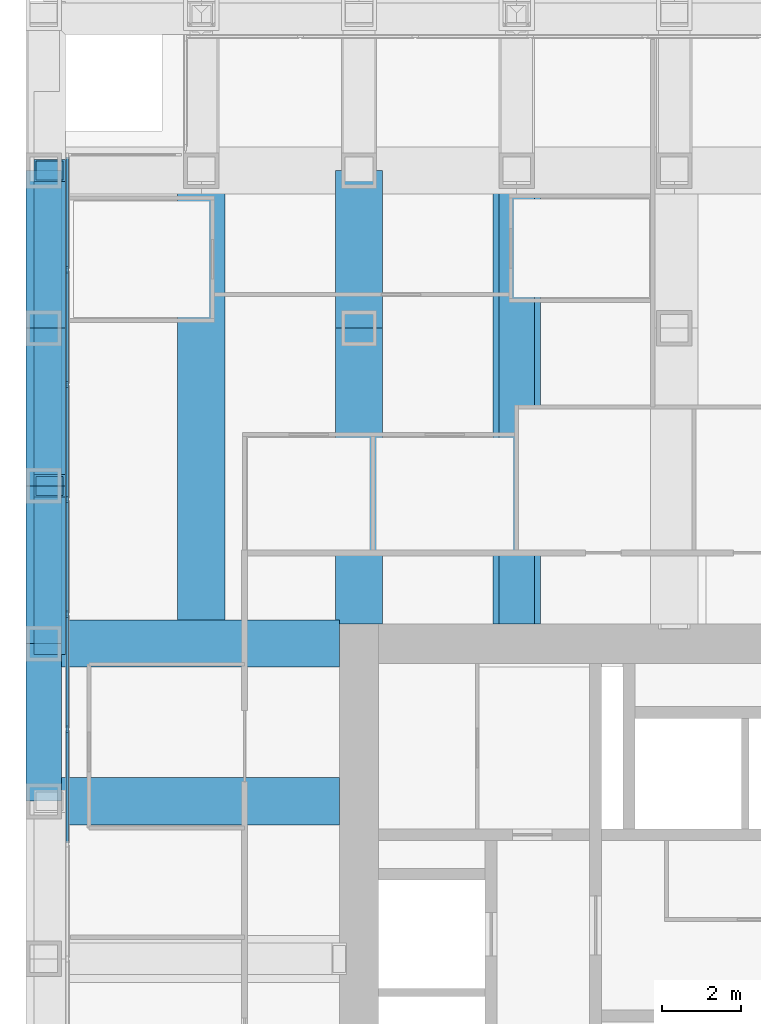
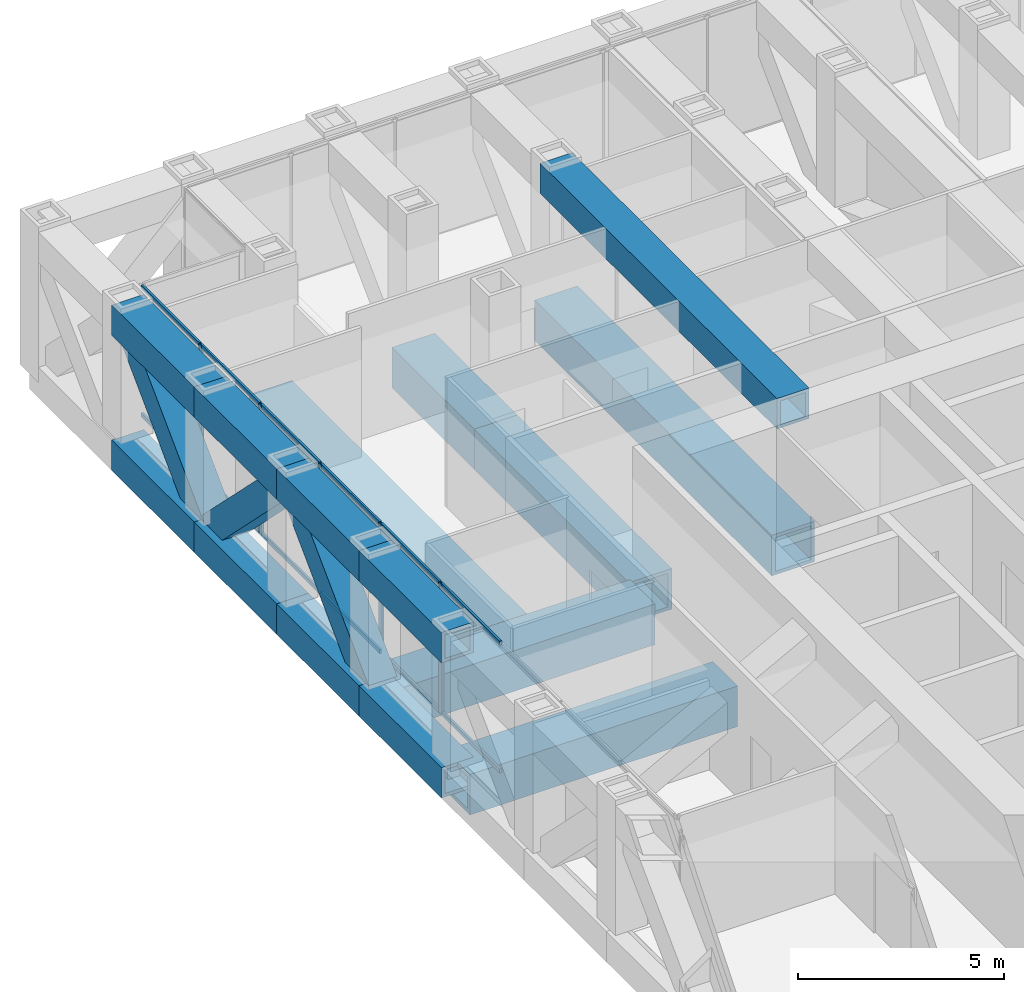
# One storey, part 7 of 18: 20 members, 15 beams, 1 element without a shape of its own.
"""IFC4 building model written with IfcOpenShell, lengths in metres."""

from ifc_helpers import new_model, si_unit, direction, frame, origin, origin_2d, place, context, subcontext, project, spatial, rectangle, hollow_rectangle, extrude, material, material_profile, profile_set, type_object, element, aggregate, save


model = new_model("IFC4")

# Units and contexts
model_context = context("Model", 3, precision=1e-05, world=origin(), true_north=direction((0.0, 1.0)))
body_context = subcontext(model_context, "Body", "Model", "MODEL_VIEW")
ifc_project = project(units=[si_unit("LENGTHUNIT", "METRE"), si_unit("AREAUNIT", "SQUARE_METRE"), si_unit("VOLUMEUNIT", "CUBIC_METRE"), si_unit("PLANEANGLEUNIT", "RADIAN"), si_unit("MASSUNIT", "GRAM", prefix="KILO")], contexts=[model_context])

# Site, building, storey
site_placement = place(None, origin())
site = spatial("IfcSite", under=ifc_project, at=site_placement, CompositionType="ELEMENT")
building_placement = place(site_placement, origin())
building = spatial("IfcBuilding", under=site, at=building_placement, Name="Rimbunsela Tower", CompositionType="ELEMENT")
storey_placement = place(building_placement, frame((0.0, 0.0, 105.39990234375)))
storey = spatial("IfcBuildingStorey", under=building, at=storey_placement, Name="L25", CompositionType="ELEMENT", Elevation=105.39990234375)

# Beams
ifc_material_1 = material(Name="Steel BJ 55 (fy 410 MPa)", Category="steel")
ifc_material_profile_1 = material_profile(ifc_material_1, hollow_rectangle(XDim=1.199951171875, YDim=1.199951171875, WallThickness=0.10009765625, at=origin_2d()), Name="BOX 1200x1200x100")
ifc_profile_set_1 = profile_set([ifc_material_profile_1], Name="Steel BJ 55 (fy 410 MPa)")
beam_type_1 = type_object("IfcBeamType", Name="Beam BOX 1200x1200x100", PredefinedType="BEAM", material=ifc_profile_set_1)
beam_1_placement = place(storey_placement, frame((18.0, 36.5, -0.75), z_axis=(0.0, 1.0, 0.0), x_axis=(-1.0, 0.0, 0.0)))
element("IfcBeam", 1, at=beam_1_placement, inside=storey, type_object=beam_type_1, Name="Beam B5 L25", PredefinedType="BEAM", context=body_context, shape_type="SweptSolid", body=[
    extrude(hollow_rectangle(XDim=1.199951171875, YDim=1.199951171875, WallThickness=0.10009765625, at=origin_2d()), origin(), (0.0, 0.0, 1.0), 7.5),
])
beam_2_placement = place(storey_placement, frame((22.0, 36.5, -0.75), z_axis=(0.0, 1.0, 0.0), x_axis=(-1.0, 0.0, 0.0)))
element("IfcBeam", 2, at=beam_2_placement, inside=storey, type_object=beam_type_1, Name="Beam B5 L25", PredefinedType="BEAM", context=body_context, shape_type="SweptSolid", body=[
    extrude(hollow_rectangle(XDim=1.199951171875, YDim=1.199951171875, WallThickness=0.10009765625, at=origin_2d()), origin(), (0.0, 0.0, 1.0), 11.5),
])
ifc_material_2 = material(Name="Steel BJ 55 (fy 410 MPa)", Category="steel")
ifc_material_profile_2 = material_profile(ifc_material_2, hollow_rectangle(XDim=1.199951171875, YDim=1.199951171875, WallThickness=0.125, at=origin_2d()), Name="BOX 1200x1200x125")
ifc_profile_set_2 = profile_set([ifc_material_profile_2], Name="Steel BJ 55 (fy 410 MPa)")
beam_type_2 = type_object("IfcBeamType", Name="Beam BOX 1200x1200x125", PredefinedType="BEAM", material=ifc_profile_set_2)
for number, where, z_axis, x_axis, name in (
    (3, (10.0, 32.0, -0.75), (1.0, 0.0, 0.0), (0.0, 1.0, 0.0), "Beam B4 L25"),
    (4, (10.0, 36.0, -0.75), (1.0, 0.0, 0.0), (0.0, 1.0, 0.0), "Beam B4 L25"),
):
    element("IfcBeam", number, at=place(storey_placement, frame(where, z_axis=z_axis, x_axis=x_axis)), inside=storey, type_object=beam_type_2, Name=name, PredefinedType="BEAM", context=body_context, shape_type="SweptSolid", body=[
        extrude(hollow_rectangle(XDim=1.199951171875, YDim=1.199951171875, WallThickness=0.125, at=origin_2d()), origin(), (0.0, 0.0, 1.0), 7.5),
    ])
beam_3_placement = place(storey_placement, frame((14.0, 36.60009765625, -0.75), z_axis=(0.0, 1.0, 0.0), x_axis=(-1.0, 0.0, 0.0)))
element("IfcBeam", 5, at=beam_3_placement, inside=storey, type_object=beam_type_2, Name="Beam B4 L25", PredefinedType="BEAM", context=body_context, shape_type="SweptSolid", body=[
    extrude(hollow_rectangle(XDim=1.199951171875, YDim=1.199951171875, WallThickness=0.125, at=origin_2d()), origin(), (0.0, 0.0, 1.0), 11.39990234375),
])
beam_4_placement = place(storey_placement, frame((18.0, 44.0, -0.75), z_axis=(0.0, 1.0, 0.0), x_axis=(-1.0, 0.0, 0.0)))
element("IfcBeam", 6, at=beam_4_placement, inside=storey, type_object=beam_type_2, Name="Beam B4 L25", PredefinedType="BEAM", context=body_context, shape_type="SweptSolid", body=[
    extrude(hollow_rectangle(XDim=1.199951171875, YDim=1.199951171875, WallThickness=0.125, at=origin_2d()), origin(), (0.0, 0.0, 1.0), 4.0),
])

# Curtain wall, members
ifc_material_3 = material(Name="Aluminium curtain wall", Category="aluminium")
curtain_wall_type = type_object("IfcCurtainWallType", Name="Exoskeleton storey infill", PredefinedType="USERDEFINED", material=ifc_material_3)
curtain_wall_placement = place(storey_placement, origin())
curtain_wall = element("IfcCurtainWall", 7, at=curtain_wall_placement, inside=storey, type_object=curtain_wall_type, Name="Exoskeleton storey infill L25", ObjectType="EXOSKELETON STOREY INFILL", PredefinedType="USERDEFINED")
ifc_material_4 = material(Name="Aluminium mullion", Category="aluminium")
ifc_material_profile_3 = material_profile(ifc_material_4, rectangle(XDim=0.06005859375, YDim=0.159912109375, at=origin_2d()), Name="Mullion 60x160")
ifc_profile_set_3 = profile_set([ifc_material_profile_3], Name="Aluminium mullion")
member_type_1 = type_object("IfcMemberType", Name="Curtain wall mullion 60x160", PredefinedType="MULLION", material=ifc_profile_set_3)
member_1_placement = place(storey_placement, frame((10.60009765625, 45.485595703125, 0.0), z_axis=(0.0, 0.0, 1.0), x_axis=(1.0, 0.0, 0.0)))
member_1 = element("IfcMember", 8, at=member_1_placement, type_object=member_type_1, Name="CW2 mullion 2", PredefinedType="MULLION", context=body_context, shape_type="SweptSolid", body=[
    extrude(rectangle(XDim=0.06005859375, YDim=0.159912109375, at=origin_2d()), origin(), (0.0, 0.0, 1.0), 3.85009765625),
])
member_2_placement = place(storey_placement, frame((10.60009765625, 42.571533203125, 0.0), z_axis=(0.0, 0.0, 1.0), x_axis=(1.0, 0.0, 0.0)))
member_2 = element("IfcMember", 9, at=member_2_placement, type_object=member_type_1, Name="CW2 mullion 3", PredefinedType="MULLION", context=body_context, shape_type="SweptSolid", body=[
    extrude(rectangle(XDim=0.06005859375, YDim=0.159912109375, at=origin_2d()), origin(), (0.0, 0.0, 1.0), 3.85009765625),
])
member_3_placement = place(storey_placement, frame((10.60009765625, 39.6572265625, 0.0), z_axis=(0.0, 0.0, 1.0), x_axis=(1.0, 0.0, 0.0)))
member_3 = element("IfcMember", 10, at=member_3_placement, type_object=member_type_1, Name="CW2 mullion 4", PredefinedType="MULLION", context=body_context, shape_type="SweptSolid", body=[
    extrude(rectangle(XDim=0.06005859375, YDim=0.159912109375, at=origin_2d()), origin(), (0.0, 0.0, 1.0), 3.85009765625),
])
member_4_placement = place(storey_placement, frame((10.60009765625, 36.742919921875, 0.0), z_axis=(0.0, 0.0, 1.0), x_axis=(1.0, 0.0, 0.0)))
member_4 = element("IfcMember", 11, at=member_4_placement, type_object=member_type_1, Name="CW2 mullion 5", PredefinedType="MULLION", context=body_context, shape_type="SweptSolid", body=[
    extrude(rectangle(XDim=0.06005859375, YDim=0.159912109375, at=origin_2d()), origin(), (0.0, 0.0, 1.0), 3.85009765625),
])
member_5_placement = place(storey_placement, frame((10.60009765625, 33.82861328125, 0.0), z_axis=(0.0, 0.0, 1.0), x_axis=(1.0, 0.0, 0.0)))
member_5 = element("IfcMember", 12, at=member_5_placement, type_object=member_type_1, Name="CW2 mullion 6", PredefinedType="MULLION", context=body_context, shape_type="SweptSolid", body=[
    extrude(rectangle(XDim=0.06005859375, YDim=0.159912109375, at=origin_2d()), origin(), (0.0, 0.0, 1.0), 3.85009765625),
])
ifc_material_5 = material(Name="Aluminium transom", Category="aluminium")
ifc_material_profile_4 = material_profile(ifc_material_5, rectangle(XDim=0.06005859375, YDim=0.1201171875, at=origin_2d()), Name="Transom 60x120")
ifc_profile_set_4 = profile_set([ifc_material_profile_4], Name="Aluminium transom")
member_type_2 = type_object("IfcMemberType", Name="Curtain wall transom 60x120", PredefinedType="USERDEFINED", material=ifc_profile_set_4)
member_6_placement = place(storey_placement, frame((10.60009765625, 48.340087890625, 0.030029296875), z_axis=(0.0, -1.0, 0.0), x_axis=(1.0, 0.0, 0.0)))
member_6 = element("IfcMember", 13, at=member_6_placement, type_object=member_type_2, Name="CW2 transom 1.1", ObjectType="TRANSOM", PredefinedType="USERDEFINED", context=body_context, shape_type="SweptSolid", body=[
    extrude(rectangle(XDim=0.06005859375, YDim=0.1201171875, at=origin_2d()), origin(), (0.0, 0.0, 1.0), 2.824462890625),
])
member_7_placement = place(storey_placement, frame((10.60009765625, 48.340087890625, 3.820068359375), z_axis=(0.0, -1.0, 0.0), x_axis=(1.0, 0.0, 0.0)))
member_7 = element("IfcMember", 14, at=member_7_placement, type_object=member_type_2, Name="CW2 transom 1.2", ObjectType="TRANSOM", PredefinedType="USERDEFINED", context=body_context, shape_type="SweptSolid", body=[
    extrude(rectangle(XDim=0.06005859375, YDim=0.1201171875, at=origin_2d()), origin(), (0.0, 0.0, 1.0), 2.824462890625),
])
member_8_placement = place(storey_placement, frame((10.60009765625, 45.455810546875, 0.030029296875), z_axis=(0.0, -1.0, 0.0), x_axis=(1.0, 0.0, 0.0)))
member_8 = element("IfcMember", 15, at=member_8_placement, type_object=member_type_2, Name="CW2 transom 2.1", ObjectType="TRANSOM", PredefinedType="USERDEFINED", context=body_context, shape_type="SweptSolid", body=[
    extrude(rectangle(XDim=0.06005859375, YDim=0.1201171875, at=origin_2d()), origin(), (0.0, 0.0, 1.0), 2.8544921875),
])
member_9_placement = place(storey_placement, frame((10.60009765625, 45.455810546875, 3.820068359375), z_axis=(0.0, -1.0, 0.0), x_axis=(1.0, 0.0, 0.0)))
member_9 = element("IfcMember", 16, at=member_9_placement, type_object=member_type_2, Name="CW2 transom 2.2", ObjectType="TRANSOM", PredefinedType="USERDEFINED", context=body_context, shape_type="SweptSolid", body=[
    extrude(rectangle(XDim=0.06005859375, YDim=0.1201171875, at=origin_2d()), origin(), (0.0, 0.0, 1.0), 2.8544921875),
])
member_10_placement = place(storey_placement, frame((10.60009765625, 42.54150390625, 0.030029296875), z_axis=(0.0, -1.0, 0.0), x_axis=(1.0, 0.0, 0.0)))
member_10 = element("IfcMember", 17, at=member_10_placement, type_object=member_type_2, Name="CW2 transom 3.1", ObjectType="TRANSOM", PredefinedType="USERDEFINED", context=body_context, shape_type="SweptSolid", body=[
    extrude(rectangle(XDim=0.06005859375, YDim=0.1201171875, at=origin_2d()), origin(), (0.0, 0.0, 1.0), 2.854248046875),
])
member_11_placement = place(storey_placement, frame((10.60009765625, 42.54150390625, 3.820068359375), z_axis=(0.0, -1.0, 0.0), x_axis=(1.0, 0.0, 0.0)))
member_11 = element("IfcMember", 18, at=member_11_placement, type_object=member_type_2, Name="CW2 transom 3.2", ObjectType="TRANSOM", PredefinedType="USERDEFINED", context=body_context, shape_type="SweptSolid", body=[
    extrude(rectangle(XDim=0.06005859375, YDim=0.1201171875, at=origin_2d()), origin(), (0.0, 0.0, 1.0), 2.854248046875),
])
member_12_placement = place(storey_placement, frame((10.60009765625, 39.627197265625, 0.030029296875), z_axis=(0.0, -1.0, 0.0), x_axis=(1.0, 0.0, 0.0)))
member_12 = element("IfcMember", 19, at=member_12_placement, type_object=member_type_2, Name="CW2 transom 4.1", ObjectType="TRANSOM", PredefinedType="USERDEFINED", context=body_context, shape_type="SweptSolid", body=[
    extrude(rectangle(XDim=0.06005859375, YDim=0.1201171875, at=origin_2d()), origin(), (0.0, 0.0, 1.0), 2.854248046875),
])
member_13_placement = place(storey_placement, frame((10.60009765625, 39.627197265625, 3.820068359375), z_axis=(0.0, -1.0, 0.0), x_axis=(1.0, 0.0, 0.0)))
member_13 = element("IfcMember", 20, at=member_13_placement, type_object=member_type_2, Name="CW2 transom 4.2", ObjectType="TRANSOM", PredefinedType="USERDEFINED", context=body_context, shape_type="SweptSolid", body=[
    extrude(rectangle(XDim=0.06005859375, YDim=0.1201171875, at=origin_2d()), origin(), (0.0, 0.0, 1.0), 2.854248046875),
])
member_14_placement = place(storey_placement, frame((10.60009765625, 36.712890625, 0.030029296875), z_axis=(0.0, -1.0, 0.0), x_axis=(1.0, 0.0, 0.0)))
member_14 = element("IfcMember", 21, at=member_14_placement, type_object=member_type_2, Name="CW2 transom 5.1", ObjectType="TRANSOM", PredefinedType="USERDEFINED", context=body_context, shape_type="SweptSolid", body=[
    extrude(rectangle(XDim=0.06005859375, YDim=0.1201171875, at=origin_2d()), origin(), (0.0, 0.0, 1.0), 2.854248046875),
])
member_15_placement = place(storey_placement, frame((10.60009765625, 36.712890625, 3.820068359375), z_axis=(0.0, -1.0, 0.0), x_axis=(1.0, 0.0, 0.0)))
member_15 = element("IfcMember", 22, at=member_15_placement, type_object=member_type_2, Name="CW2 transom 5.2", ObjectType="TRANSOM", PredefinedType="USERDEFINED", context=body_context, shape_type="SweptSolid", body=[
    extrude(rectangle(XDim=0.06005859375, YDim=0.1201171875, at=origin_2d()), origin(), (0.0, 0.0, 1.0), 2.854248046875),
])
member_16_placement = place(storey_placement, frame((10.60009765625, 33.798583984375, 0.030029296875), z_axis=(0.0, -1.0, 0.0), x_axis=(1.0, 0.0, 0.0)))
member_16 = element("IfcMember", 23, at=member_16_placement, type_object=member_type_2, Name="CW2 transom 6.1", ObjectType="TRANSOM", PredefinedType="USERDEFINED", context=body_context, shape_type="SweptSolid", body=[
    extrude(rectangle(XDim=0.06005859375, YDim=0.1201171875, at=origin_2d()), origin(), (0.0, 0.0, 1.0), 2.854248046875),
])
member_17_placement = place(storey_placement, frame((10.60009765625, 33.798583984375, 3.820068359375), z_axis=(0.0, -1.0, 0.0), x_axis=(1.0, 0.0, 0.0)))
member_17 = element("IfcMember", 24, at=member_17_placement, type_object=member_type_2, Name="CW2 transom 6.2", ObjectType="TRANSOM", PredefinedType="USERDEFINED", context=body_context, shape_type="SweptSolid", body=[
    extrude(rectangle(XDim=0.06005859375, YDim=0.1201171875, at=origin_2d()), origin(), (0.0, 0.0, 1.0), 2.854248046875),
])
aggregate(curtain_wall, [member_1, member_2, member_3, member_4, member_5, member_6, member_7, member_8, member_9, member_10, member_11, member_12, member_13, member_14, member_15, member_16, member_17])

# Beams
ifc_material_6 = material(Name="Steel BJ 55 (fy 410 MPa)", Category="steel")
ifc_material_profile_5 = material_profile(ifc_material_6, hollow_rectangle(XDim=0.89990234375, YDim=0.89990234375, WallThickness=0.10009765625, at=origin_2d()), Name="BOX 900x900x100")
ifc_profile_set_5 = profile_set([ifc_material_profile_5], Name="Steel BJ 55 (fy 410 MPa)")
beam_type_3 = type_object("IfcBeamType", Name="Truss chord BOX 900x900x100", PredefinedType="USERDEFINED", material=ifc_profile_set_5)
for number, where, z_axis, x_axis, name in (
    (25, (10.0, 32.0, 3.400146484375), (0.0, 1.0, 0.0), (-1.0, 0.0, 0.0), "Truss top chord TC2 W face L25"),
    (26, (10.0, 36.0, 3.400146484375), (0.0, 1.0, 0.0), (-1.0, 0.0, 0.0), "Truss top chord TC2 W face L25"),
    (27, (10.0, 40.0, 3.400146484375), (0.0, 1.0, 0.0), (-1.0, 0.0, 0.0), "Truss top chord TC2 W face L25"),
    (28, (10.0, 44.0, 3.400146484375), (0.0, 1.0, 0.0), (-1.0, 0.0, 0.0), "Truss top chord TC2 W face L25"),
    (29, (10.0, 32.0, -0.599853515625), (0.0, 1.0, 0.0), (-1.0, 0.0, 0.0), "Truss bottom chord TC2 W face L25"),
    (30, (10.0, 36.0, -0.599853515625), (0.0, 1.0, 0.0), (-1.0, 0.0, 0.0), "Truss bottom chord TC2 W face L25"),
    (31, (10.0, 40.0, -0.599853515625), (0.0, 1.0, 0.0), (-1.0, 0.0, 0.0), "Truss bottom chord TC2 W face L25"),
    (32, (10.0, 44.0, -0.599853515625), (0.0, 1.0, 0.0), (-1.0, 0.0, 0.0), "Truss bottom chord TC2 W face L25"),
):
    element("IfcBeam", number, at=place(storey_placement, frame(where, z_axis=z_axis, x_axis=x_axis)), inside=storey, type_object=beam_type_3, Name=name, ObjectType="TRUSS CHORD", PredefinedType="USERDEFINED", context=body_context, shape_type="SweptSolid", body=[
        extrude(hollow_rectangle(XDim=0.89990234375, YDim=0.89990234375, WallThickness=0.10009765625, at=origin_2d()), origin(), (0.0, 0.0, 1.0), 4.0),
    ])
beam_5_placement = place(storey_placement, frame((22.0, 36.5, 3.400146484375), z_axis=(0.0, 1.0, 0.0), x_axis=(-1.0, 0.0, 0.0)))
element("IfcBeam", 33, at=beam_5_placement, inside=storey, type_object=beam_type_3, Name="Cantilever truss top chord TC2 8/Q L25", ObjectType="TRUSS CHORD", PredefinedType="USERDEFINED", context=body_context, shape_type="SweptSolid", body=[
    extrude(hollow_rectangle(XDim=0.89990234375, YDim=0.89990234375, WallThickness=0.10009765625, at=origin_2d()), origin(), (0.0, 0.0, 1.0), 11.5),
])

# Members
ifc_material_7 = material(Name="Steel BJ 55 (fy 410 MPa)", Category="steel")
ifc_material_profile_6 = material_profile(ifc_material_7, hollow_rectangle(XDim=0.800048828125, YDim=0.800048828125, WallThickness=0.06005859375, at=origin_2d()), Name="BOX 800x800x60")
ifc_profile_set_6 = profile_set([ifc_material_profile_6], Name="Steel BJ 55 (fy 410 MPa)")
member_type_3 = type_object("IfcMemberType", Name="Truss diagonal BOX 800x800x60", PredefinedType="BRACE", material=ifc_profile_set_6)
for number, where, z_axis, x_axis, name in (
    (34, (10.14990234375, 36.0, -0.599853515625), (0.0, 0.707106781187, 0.707106781187), (-1.0, 0.0, 0.0), "Truss diagonal TD2 W face L25"),
    (35, (10.14990234375, 40.0, 3.400146484375), (0.0, 0.707106781187, -0.707106781187), (-1.0, 0.0, 0.0), "Truss diagonal TD2 W face L25"),
    (36, (10.14990234375, 44.0, -0.599853515625), (0.0, 0.707106781187, 0.707106781187), (-1.0, 0.0, 0.0), "Truss diagonal TD2 W face L25"),
):
    element("IfcMember", number, at=place(storey_placement, frame(where, z_axis=z_axis, x_axis=x_axis)), inside=storey, type_object=member_type_3, Name=name, PredefinedType="BRACE", context=body_context, shape_type="SweptSolid", body=[
        extrude(hollow_rectangle(XDim=0.800048828125, YDim=0.800048828125, WallThickness=0.06005859375, at=origin_2d()), origin(), (0.0, 0.0, 1.0), 5.65673828125),
    ])

save(model, "model.ifc")
